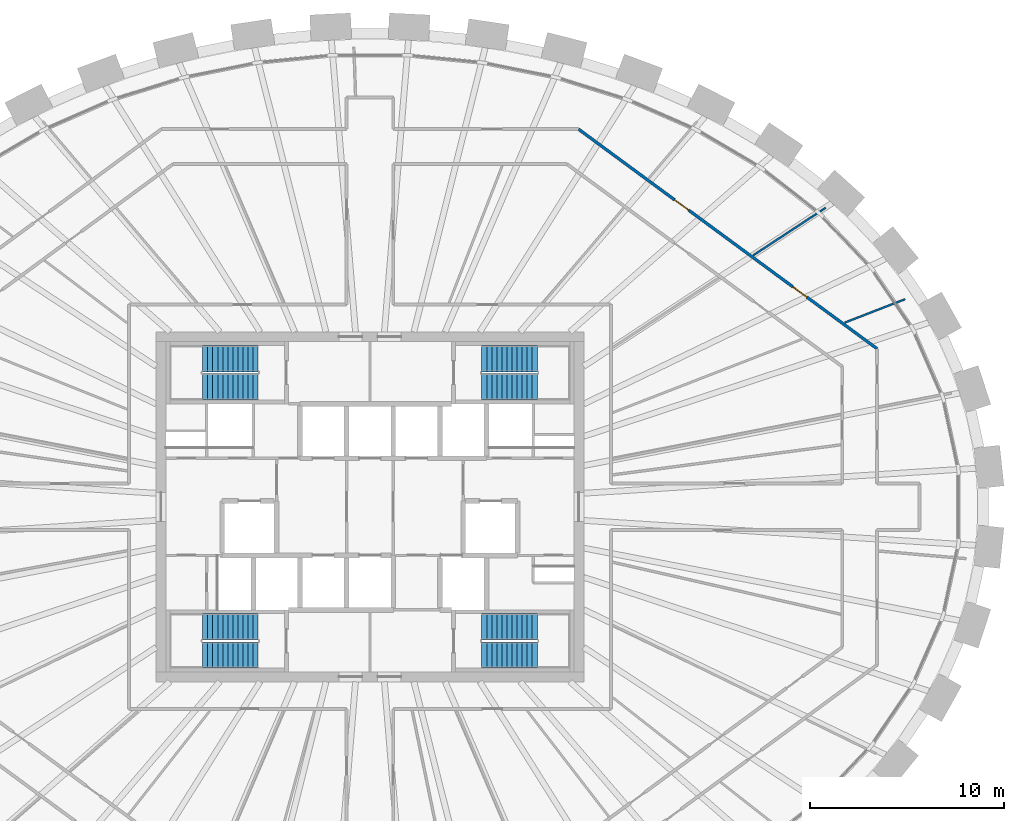
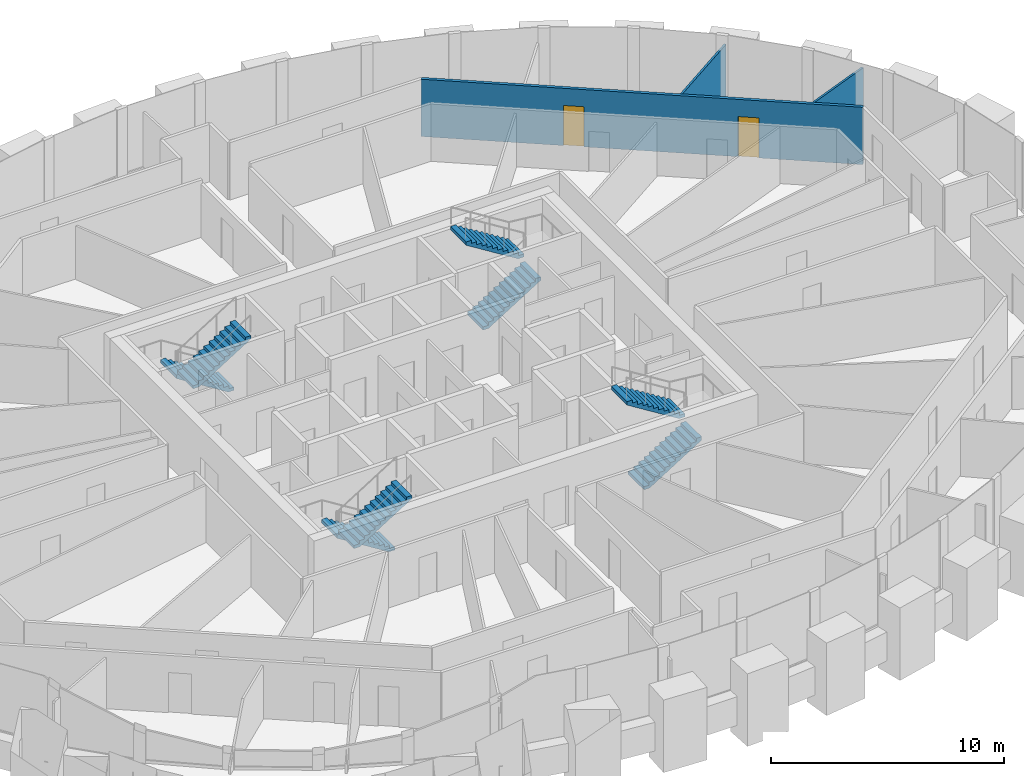
# One storey, part 11 of 12: 8 stair flights, 3 walls, 2 doors, 2 openings, 4 elements without a shape of their own.
"""IFC4 building model written with IfcOpenShell, lengths in metres."""

from ifc_helpers import new_model, si_unit, direction, frame, frame_2d, origin, place, context, subcontext, project, spatial, polyline, rectangle, outline, extrude, source, transform, mapped, material, layer, layer_set, type_object, element, fill, aggregate, save


model = new_model("IFC4")

# Units and contexts
model_context = context("Model", 3, precision=1e-05, world=origin(), true_north=direction((0.0, 1.0)))
body_context = subcontext(model_context, "Body", "Model", "MODEL_VIEW")
ifc_project = project(units=[si_unit("LENGTHUNIT", "METRE"), si_unit("AREAUNIT", "SQUARE_METRE"), si_unit("VOLUMEUNIT", "CUBIC_METRE"), si_unit("PLANEANGLEUNIT", "RADIAN"), si_unit("MASSUNIT", "GRAM", prefix="KILO")], contexts=[model_context])

# Site, building, storey
site_placement = place(None, origin())
site = spatial("IfcSite", under=ifc_project, at=site_placement, CompositionType="ELEMENT")
building_placement = place(site_placement, origin())
building = spatial("IfcBuilding", under=site, at=building_placement, Name="Embergate Tower", CompositionType="ELEMENT")
storey_placement = place(building_placement, frame((0.0, 0.0, 285.10009765625)))
storey = spatial("IfcBuildingStorey", under=building, at=storey_placement, Name="L66", CompositionType="ELEMENT", Elevation=285.10009765625)

# Wall, openings, doors
ifc_material_1 = material(Name="Corridor wall dry-lined 150 wet")
ifc_layer_1 = layer(ifc_material_1, 0.14990234375)
ifc_layer_set_1 = layer_set([ifc_layer_1], Name="Corridor wall dry-lined 150 wet")
wall_type_1 = type_object("IfcWallType", Name="Corridor wall dry-lined 150 wet", PredefinedType="PLUMBINGWALL", material=ifc_layer_set_1)
shared_shape_1 = source(origin(), body_context, "Body", "SweptSolid", [
    extrude(rectangle(XDim=19.072265625, YDim=0.14990234375, at=frame_2d((9.5361328125, 0.0))), origin(), (0.0, 0.0, 1.0), 3.0),
])
wall_1_placement = place(storey_placement, frame((26.096923828125, 8.1298828125, 0.0), z_axis=(0.0, 0.0, 1.0), x_axis=(-0.805618847725, 0.592434192287, 0.0)))
wall_1 = element("IfcWall", 1, at=wall_1_placement, inside=storey, type_object=wall_type_1, Name="IP-2 wall", PredefinedType="PLUMBINGWALL", context=body_context, shape_type="MappedRepresentation", body=[
    mapped(shared_shape_1, transform((0.0, 0.0, 0.0))),
])
shared_shape_2 = source(origin(), body_context, "Body", "SweptSolid", [
    extrude(rectangle(XDim=0.89990234375, YDim=2.10009765625, at=frame_2d((0.449951171875, 1.050048828125))), frame((0.0, 0.0849609375, 0.0), z_axis=(0.0, -1.0, 0.0), x_axis=(1.0, 0.0, 0.0)), (0.0, 0.0, 1.0), 0.169921875),
])
opening_1_placement = place(wall_1_placement, frame((4.489990234375, 0.0, 0.0)))
opening_1 = element("IfcOpeningElement", 2, at=opening_1_placement, cuts=wall_1, Name="Opening IF-1c", PredefinedType="OPENING", context=body_context, shape_type="MappedRepresentation", body=[
    mapped(shared_shape_2, transform((0.0, 0.0, 0.0))),
])
opening_2_placement = place(wall_1_placement, frame((12.033447265625, 0.0, 0.0)))
opening_2 = element("IfcOpeningElement", 3, at=opening_2_placement, cuts=wall_1, Name="Opening IF-1c", PredefinedType="OPENING", context=body_context, shape_type="MappedRepresentation", body=[
    mapped(shared_shape_2, transform((0.0, 0.0, 0.0))),
])
ifc_material_2 = material(Name="Escape fire door 900")
door_type = type_object("IfcDoorType", Name="Escape fire door 900", OperationType="SINGLE_SWING_LEFT", PredefinedType="DOOR", material=ifc_material_2)
shared_shape_3 = source(origin(), body_context, "Body", "SweptSolid", [
    extrude(rectangle(XDim=0.89990234375, YDim=2.10009765625, at=frame_2d((0.449951171875, 1.050048828125))), frame((0.0, 0.02490234375, 0.0), z_axis=(0.0, -1.0, 0.0), x_axis=(1.0, 0.0, 0.0)), (0.0, 0.0, 1.0), 0.050048828125),
])
door_1_placement = place(opening_1_placement, origin())
door_1 = element("IfcDoor", 4, at=door_1_placement, inside=storey, type_object=door_type, Name="IF-1 door", OperationType="SINGLE_SWING_LEFT", OverallHeight=2.10009765625, OverallWidth=0.89990234375, PredefinedType="DOOR", context=body_context, shape_type="MappedRepresentation", body=[
    mapped(shared_shape_3, transform((0.0, 0.0, 0.0))),
])
fill(opening_1, door_1)
door_2_placement = place(opening_2_placement, origin())
door_2 = element("IfcDoor", 5, at=door_2_placement, inside=storey, type_object=door_type, Name="IF-1 door", OperationType="SINGLE_SWING_LEFT", OverallHeight=2.10009765625, OverallWidth=0.89990234375, PredefinedType="DOOR", context=body_context, shape_type="MappedRepresentation", body=[
    mapped(shared_shape_3, transform((0.0, 0.0, 0.0))),
])
fill(opening_2, door_2)

# Walls
ifc_material_3 = material(Name="Partition dry-lined 100 wet")
ifc_layer_2 = layer(ifc_material_3, 0.10009765625)
ifc_layer_set_2 = layer_set([ifc_layer_2], Name="Partition dry-lined 100 wet")
wall_type_2 = type_object("IfcWallType", Name="Partition dry-lined 100 wet", PredefinedType="PLUMBINGWALL", material=ifc_layer_set_2)
shared_shape_4 = source(origin(), body_context, "Body", "SweptSolid", [
    extrude(rectangle(XDim=3.3251953125, YDim=0.10009765625, at=frame_2d((1.66259765625, 0.0))), origin(), (0.0, 0.0, 1.0), 3.0),
])
wall_2_placement = place(storey_placement, frame((24.43310546875, 9.47998046875, 0.0), z_axis=(0.0, 0.0, 1.0), x_axis=(0.932245598187, 0.361826124901, 0.0)))
element("IfcWall", 6, at=wall_2_placement, inside=storey, type_object=wall_type_2, Name="IP-1 wall", PredefinedType="PLUMBINGWALL", context=body_context, shape_type="MappedRepresentation", body=[
    mapped(shared_shape_4, transform((0.0, 0.0, 0.0))),
])
shared_shape_5 = source(origin(), body_context, "Body", "SweptSolid", [
    extrude(rectangle(XDim=4.458740234375, YDim=0.10009765625, at=frame_2d((2.2294921875, 0.0))), origin(), (0.0, 0.0, 1.0), 2.7998046875),
])
wall_3_placement = place(storey_placement, frame((19.716064453125, 12.93798828125, 0.0), z_axis=(0.0, 0.0, 1.0), x_axis=(0.836096569639, 0.548582287572, 0.0)))
element("IfcWall", 7, at=wall_3_placement, inside=storey, type_object=wall_type_2, Name="IP-1 wall", PredefinedType="PLUMBINGWALL", context=body_context, shape_type="MappedRepresentation", body=[
    mapped(shared_shape_5, transform((0.0, 0.0, 0.0))),
])

# Stair, stair flights
ifc_material_4 = material(Name="Exit stair")
stair_type = type_object("IfcStairType", Name="Exit stair", PredefinedType="HALF_TURN_STAIR", material=ifc_material_4)
stair_1_placement = place(storey_placement, origin())
stair_1 = element("IfcStair", 8, at=stair_1_placement, inside=storey, type_object=stair_type, Name="L66 Exit stair 1", PredefinedType="HALF_TURN_STAIR")
ifc_material_5 = material(Name="Concrete C40", Category="concrete")
stair_flight_type = type_object("IfcStairFlightType", Name="Stair flight reinforced concrete", PredefinedType="STRAIGHT", material=ifc_material_5)
shared_shape_6 = source(origin(), body_context, "Body", "SweptSolid", [
    extrude(outline(polyline([(0.0, 0.0), (0.0, 0.16259765625), (0.260009765625, 0.16259765625), (0.260009765625, 0.324951171875), (0.52001953125, 0.324951171875), (0.52001953125, 0.487548828125), (0.780029296875, 0.487548828125), (0.780029296875, 0.64990234375), (1.0400390625, 0.64990234375), (1.0400390625, 0.8125), (1.300048828125, 0.8125), (1.300048828125, 0.97509765625), (1.56005859375, 0.97509765625), (1.56005859375, 1.137451171875), (1.820068359375, 1.137451171875), (1.820068359375, 1.300048828125), (2.080078125, 1.300048828125), (2.080078125, 1.46240234375), (2.340087890625, 1.46240234375), (2.340087890625, 1.625), (2.60009765625, 1.625), (2.60009765625, 1.78759765625), (2.860107421875, 1.78759765625), (2.860107421875, 1.949951171875), (2.860107421875, 1.61083984375), (0.28271484375, 0.0), (0.0, 0.0)])), frame((0.0, 0.675048828125, 0.0), z_axis=(0.0, -1.0, 0.0), x_axis=(1.0, 0.0, 0.0)), (0.0, 0.0, 1.0), 1.35009765625),
])
stair_flight_1_placement = place(storey_placement, frame((-5.75, 7.625, 0.0), z_axis=(0.0, 0.0, 1.0), x_axis=(-1.0, 0.0, 0.0)))
stair_flight_1 = element("IfcStairFlight", 9, at=stair_flight_1_placement, type_object=stair_flight_type, Name="ST1 flight 1", NumberOfRisers=12, NumberOfTreads=11, PredefinedType="STRAIGHT", RiserHeight=0.1625, TreadLength=0.26, context=body_context, shape_type="MappedRepresentation", body=[
    mapped(shared_shape_6, transform((0.0, 0.0, 0.0))),
])
stair_flight_2_placement = place(storey_placement, frame((-8.610107421875, 6.175048828125, 1.949951171875), z_axis=(0.0, 0.0, 1.0), x_axis=(1.0, 0.0, 0.0)))
stair_flight_2 = element("IfcStairFlight", 10, at=stair_flight_2_placement, type_object=stair_flight_type, Name="ST1 flight 2", NumberOfRisers=12, NumberOfTreads=11, PredefinedType="STRAIGHT", RiserHeight=0.1625, TreadLength=0.26, context=body_context, shape_type="MappedRepresentation", body=[
    mapped(shared_shape_6, transform((0.0, 0.0, 0.0))),
])
aggregate(stair_1, [stair_flight_1, stair_flight_2])

stair_2_placement = place(storey_placement, origin())
stair_2 = element("IfcStair", 11, at=stair_2_placement, inside=storey, type_object=stair_type, Name="L66 Exit stair 2", PredefinedType="HALF_TURN_STAIR")
stair_flight_3_placement = place(storey_placement, frame((5.75, 6.175048828125, 0.0), z_axis=(0.0, 0.0, 1.0), x_axis=(1.0, 0.0, 0.0)))
stair_flight_3 = element("IfcStairFlight", 12, at=stair_flight_3_placement, type_object=stair_flight_type, Name="ST2 flight 1", NumberOfRisers=12, NumberOfTreads=11, PredefinedType="STRAIGHT", RiserHeight=0.1625, TreadLength=0.26, context=body_context, shape_type="MappedRepresentation", body=[
    mapped(shared_shape_6, transform((0.0, 0.0, 0.0))),
])
stair_flight_4_placement = place(storey_placement, frame((8.610107421875, 7.625, 1.949951171875), z_axis=(0.0, 0.0, 1.0), x_axis=(-1.0, 0.0, 0.0)))
stair_flight_4 = element("IfcStairFlight", 13, at=stair_flight_4_placement, type_object=stair_flight_type, Name="ST2 flight 2", NumberOfRisers=12, NumberOfTreads=11, PredefinedType="STRAIGHT", RiserHeight=0.1625, TreadLength=0.26, context=body_context, shape_type="MappedRepresentation", body=[
    mapped(shared_shape_6, transform((0.0, 0.0, 0.0))),
])
aggregate(stair_2, [stair_flight_3, stair_flight_4])

stair_3_placement = place(storey_placement, origin())
stair_3 = element("IfcStair", 14, at=stair_3_placement, inside=storey, type_object=stair_type, Name="L66 Exit stair 3", PredefinedType="HALF_TURN_STAIR")
stair_flight_5_placement = place(storey_placement, frame((-5.75, -6.175048828125, 0.0), z_axis=(0.0, 0.0, 1.0), x_axis=(-1.0, 0.0, 0.0)))
stair_flight_5 = element("IfcStairFlight", 15, at=stair_flight_5_placement, type_object=stair_flight_type, Name="ST3 flight 1", NumberOfRisers=12, NumberOfTreads=11, PredefinedType="STRAIGHT", RiserHeight=0.1625, TreadLength=0.26, context=body_context, shape_type="MappedRepresentation", body=[
    mapped(shared_shape_6, transform((0.0, 0.0, 0.0))),
])
stair_flight_6_placement = place(storey_placement, frame((-8.610107421875, -7.625, 1.949951171875), z_axis=(0.0, 0.0, 1.0), x_axis=(1.0, 0.0, 0.0)))
stair_flight_6 = element("IfcStairFlight", 16, at=stair_flight_6_placement, type_object=stair_flight_type, Name="ST3 flight 2", NumberOfRisers=12, NumberOfTreads=11, PredefinedType="STRAIGHT", RiserHeight=0.1625, TreadLength=0.26, context=body_context, shape_type="MappedRepresentation", body=[
    mapped(shared_shape_6, transform((0.0, 0.0, 0.0))),
])
aggregate(stair_3, [stair_flight_5, stair_flight_6])

stair_4_placement = place(storey_placement, origin())
stair_4 = element("IfcStair", 17, at=stair_4_placement, inside=storey, type_object=stair_type, Name="L66 Exit stair 4", PredefinedType="HALF_TURN_STAIR")
stair_flight_7_placement = place(storey_placement, frame((5.75, -7.625, 0.0), z_axis=(0.0, 0.0, 1.0), x_axis=(1.0, 0.0, 0.0)))
stair_flight_7 = element("IfcStairFlight", 18, at=stair_flight_7_placement, type_object=stair_flight_type, Name="ST4 flight 1", NumberOfRisers=12, NumberOfTreads=11, PredefinedType="STRAIGHT", RiserHeight=0.1625, TreadLength=0.26, context=body_context, shape_type="MappedRepresentation", body=[
    mapped(shared_shape_6, transform((0.0, 0.0, 0.0))),
])
stair_flight_8_placement = place(storey_placement, frame((8.610107421875, -6.175048828125, 1.949951171875), z_axis=(0.0, 0.0, 1.0), x_axis=(-1.0, 0.0, 0.0)))
stair_flight_8 = element("IfcStairFlight", 19, at=stair_flight_8_placement, type_object=stair_flight_type, Name="ST4 flight 2", NumberOfRisers=12, NumberOfTreads=11, PredefinedType="STRAIGHT", RiserHeight=0.1625, TreadLength=0.26, context=body_context, shape_type="MappedRepresentation", body=[
    mapped(shared_shape_6, transform((0.0, 0.0, 0.0))),
])
aggregate(stair_4, [stair_flight_7, stair_flight_8])

save(model, "model.ifc")
